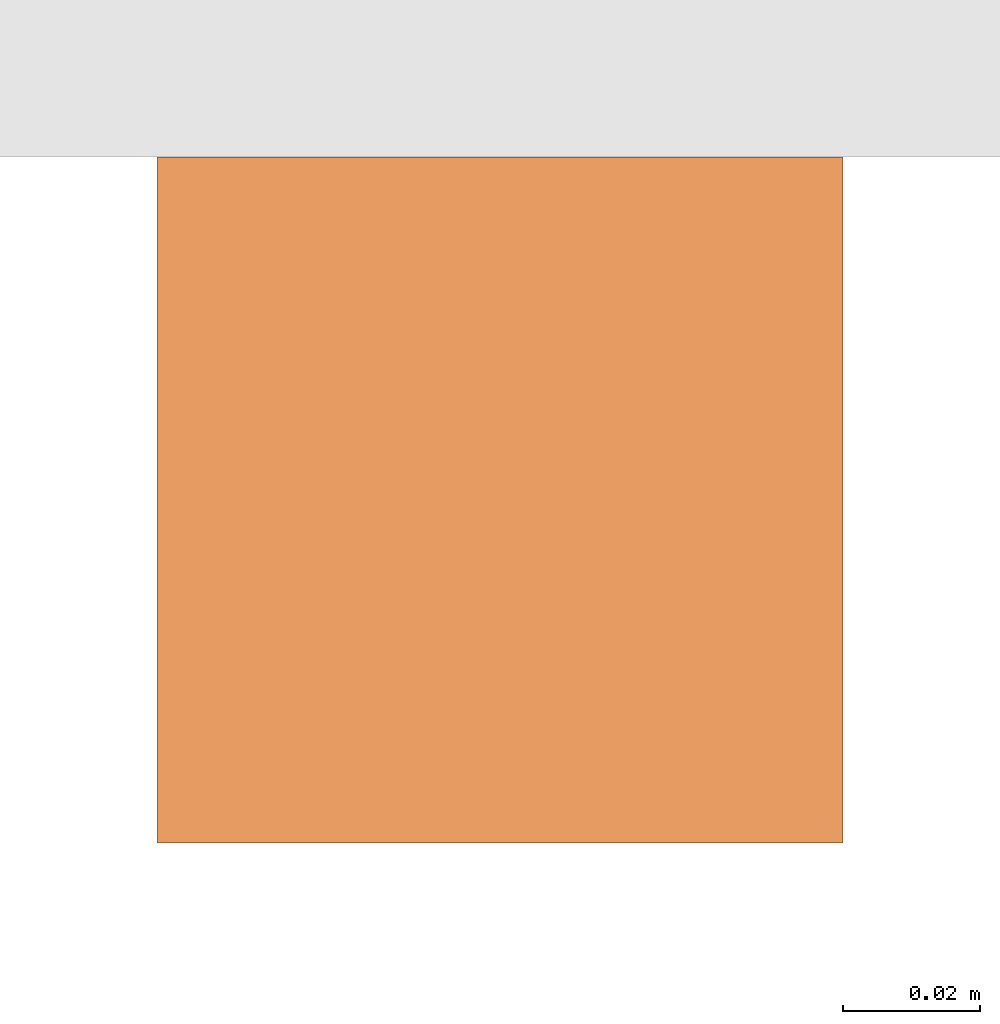
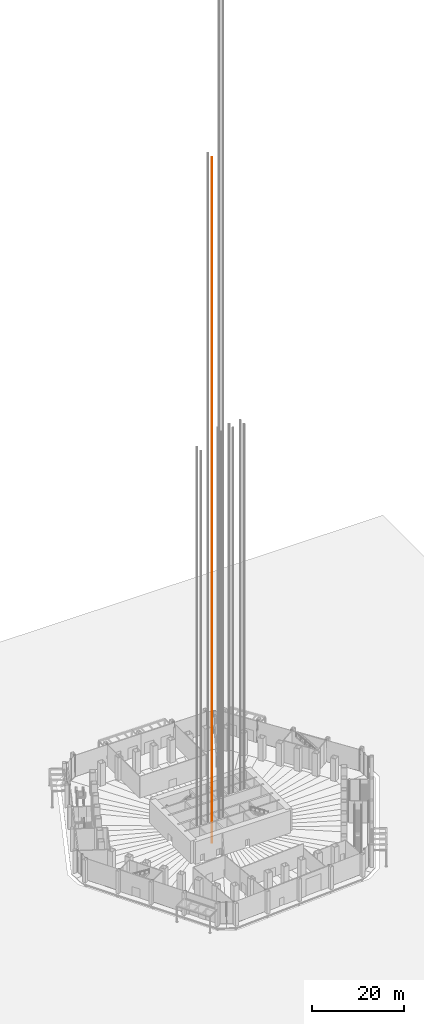
# One storey, part 35 of 45: 1 proxy.
"""IFC4 building model written with IfcOpenShell, lengths in metres."""

from ifc_helpers import new_model, si_unit, direction, frame, origin, origin_2d, place, context, subcontext, project, spatial, rectangle, extrude, material, type_object, element, save


model = new_model("IFC4")

# Units and contexts
model_context = context("Model", 3, precision=1e-05, world=origin(), true_north=direction((0.0, 1.0)))
body_context = subcontext(model_context, "Body", "Model", "MODEL_VIEW")
ifc_project = project(units=[si_unit("LENGTHUNIT", "METRE"), si_unit("AREAUNIT", "SQUARE_METRE"), si_unit("VOLUMEUNIT", "CUBIC_METRE"), si_unit("PLANEANGLEUNIT", "RADIAN"), si_unit("MASSUNIT", "GRAM", prefix="KILO")], contexts=[model_context])

# Site, building, storey
site_placement = place(None, origin())
site = spatial("IfcSite", under=ifc_project, at=site_placement, CompositionType="ELEMENT")
building_placement = place(site_placement, origin())
building = spatial("IfcBuilding", under=site, at=building_placement, Name="Qingtian Harvest Tower", CompositionType="ELEMENT")
storey_placement = place(building_placement, origin())
storey = spatial("IfcBuildingStorey", under=building, at=storey_placement, Name="L00", CompositionType="ELEMENT", Elevation=0.0)

# Proxy
ifc_material = material(Name="Steel SN490B", Category="steel")
building_element_proxy_type = type_object("IfcBuildingElementProxyType", Name="Lift guide rail LR1", PredefinedType="NOTDEFINED", material=ifc_material)
proxy_placement = place(storey_placement, frame((-4.699951171875, -4.375, 0.0), z_axis=(0.0, 0.0, 1.0), x_axis=(1.0, 0.0, 0.0)))
element("IfcBuildingElementProxy", 1, at=proxy_placement, inside=storey, type_object=building_element_proxy_type, Name="Lift SH2 guide rail 1", PredefinedType="NOTDEFINED", context=body_context, shape_type="SweptSolid", body=[
    extrude(rectangle(XDim=0.10009765625, YDim=0.10009765625, at=origin_2d()), origin(), (0.0, 0.0, 1.0), 182.800048828125),
])

save(model, "model.ifc")
